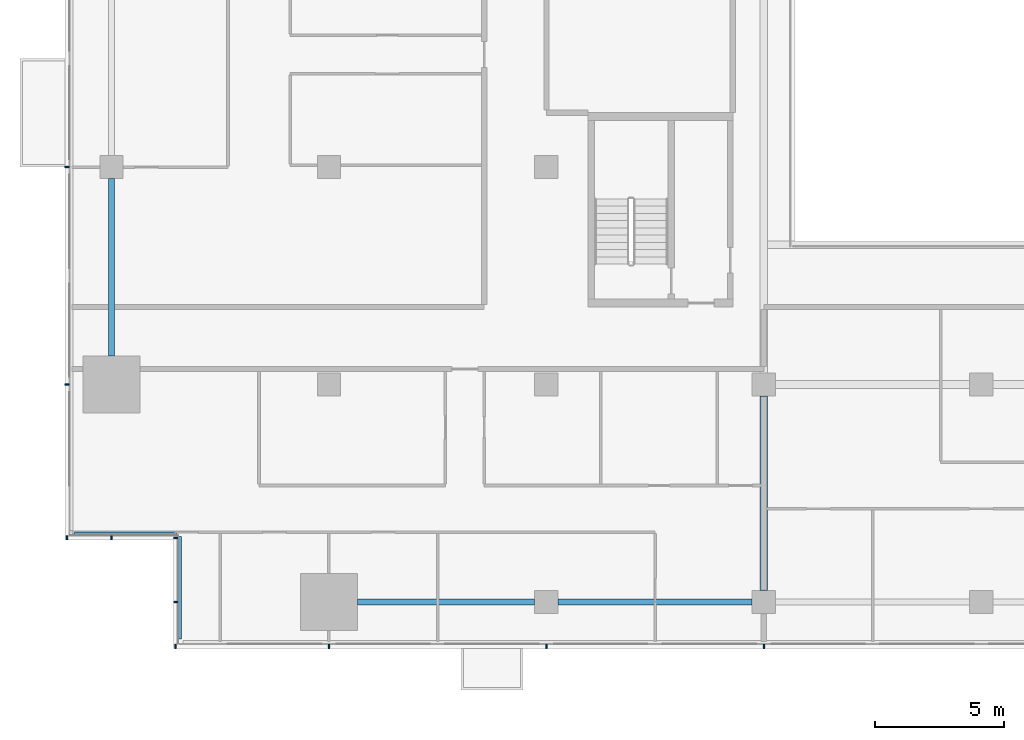
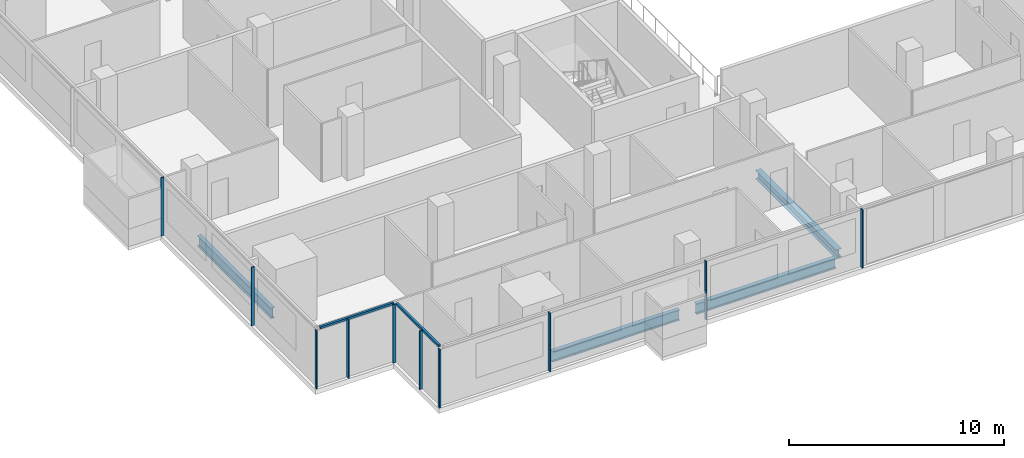
# One storey, part 2 of 27: 12 members, 4 beams, 4 elements without a shape of their own.
"""IFC4 building model written with IfcOpenShell, lengths in metres."""

from ifc_helpers import new_model, si_unit, direction, frame, origin, origin_2d, place, context, subcontext, project, spatial, rectangle, i_section, extrude, material, material_profile, profile_set, type_object, element, aggregate, save


model = new_model("IFC4")

# Units and contexts
model_context = context("Model", 3, precision=1e-05, world=origin(), true_north=direction((0.0, 1.0)))
body_context = subcontext(model_context, "Body", "Model", "MODEL_VIEW")
ifc_project = project(units=[si_unit("LENGTHUNIT", "METRE"), si_unit("AREAUNIT", "SQUARE_METRE"), si_unit("VOLUMEUNIT", "CUBIC_METRE"), si_unit("PLANEANGLEUNIT", "RADIAN"), si_unit("MASSUNIT", "GRAM", prefix="KILO")], contexts=[model_context])

# Site, building, storey
site_placement = place(None, origin())
site = spatial("IfcSite", under=ifc_project, at=site_placement, CompositionType="ELEMENT")
building_placement = place(site_placement, origin())
building = spatial("IfcBuilding", under=site, at=building_placement, Name="Saffron Gate Tower", CompositionType="ELEMENT")
storey_placement = place(building_placement, frame((0.0, 0.0, 66.0)))
storey = spatial("IfcBuildingStorey", under=building, at=storey_placement, Name="L15", CompositionType="ELEMENT", Elevation=66.0)

# Beams
ifc_material_1 = material(Name="Structural steel S355", Category="steel")
ifc_material_profile_1 = material_profile(ifc_material_1, i_section(OverallWidth=0.219970703125, OverallDepth=0.60009765625, WebThickness=0.011962890625, FlangeThickness=0.01904296875, FilletRadius=0.02392578125, at=origin_2d()))
ifc_profile_set_1 = profile_set([ifc_material_profile_1], Name="Structural steel S355")
beam_type_1 = type_object("IfcBeamType", Name="B16 IPE 600", PredefinedType="SPANDREL", material=ifc_profile_set_1)
for number, where, z_axis, x_axis, name in (
    (1, (49.800048828125, 41.300048828125, -0.580078125), (0.0, 1.0, 0.0), (-1.0, 0.0, 0.0), "B16 SPANDREL BEAM"),
    (2, (59.300048828125, 31.800048828125, -0.580078125), (1.0, 0.0, 0.0), (0.0, 1.0, 0.0), "B16 SPANDREL BEAM"),
):
    element("IfcBeam", number, at=place(storey_placement, frame(where, z_axis=z_axis, x_axis=x_axis)), inside=storey, type_object=beam_type_1, Name=name, PredefinedType="SPANDREL", context=body_context, shape_type="SweptSolid", body=[
        extrude(i_section(OverallWidth=0.219970703125, OverallDepth=0.60009765625, WebThickness=0.011962890625, FlangeThickness=0.01904296875, FilletRadius=0.02392578125, at=origin_2d()), origin(), (0.0, 0.0, 1.0), 6.849853515625),
    ])
beam_1_placement = place(storey_placement, frame((67.050048828125, 31.800048828125, -0.580078125), z_axis=(1.0, 0.0, 0.0), x_axis=(0.0, 1.0, 0.0)))
element("IfcBeam", 3, at=beam_1_placement, inside=storey, type_object=beam_type_1, Name="B16 SPANDREL BEAM", PredefinedType="SPANDREL", context=body_context, shape_type="SweptSolid", body=[
    extrude(i_section(OverallWidth=0.219970703125, OverallDepth=0.60009765625, WebThickness=0.011962890625, FlangeThickness=0.01904296875, FilletRadius=0.02392578125, at=origin_2d()), origin(), (0.0, 0.0, 1.0), 7.5),
])
ifc_material_profile_2 = material_profile(ifc_material_1, i_section(OverallWidth=0.300048828125, OverallDepth=0.489990234375, WebThickness=0.011962890625, FlangeThickness=0.02294921875, FilletRadius=0.027099609375, at=origin_2d()))
ifc_profile_set_2 = profile_set([ifc_material_profile_2], Name="Structural steel S355")
beam_type_2 = type_object("IfcBeamType", Name="B8 HEA 500", PredefinedType="BEAM", material=ifc_profile_set_2)
beam_2_placement = place(storey_placement, frame((75.0, 32.25, -0.52490234375), z_axis=(0.0, 1.0, 0.0), x_axis=(-1.0, 0.0, 0.0)))
element("IfcBeam", 4, at=beam_2_placement, inside=storey, type_object=beam_type_2, Name="B8 FLOOR GIRDER", PredefinedType="BEAM", context=body_context, shape_type="SweptSolid", body=[
    extrude(i_section(OverallWidth=0.300048828125, OverallDepth=0.489990234375, WebThickness=0.011962890625, FlangeThickness=0.02294921875, FilletRadius=0.027099609375, at=origin_2d()), origin(), (0.0, 0.0, 1.0), 7.5),
])

# Curtain wall, members
ifc_material_2 = material(Name="Aluminium, bronze anodised", Category="aluminium")
curtain_wall_type_1 = type_object("IfcCurtainWallType", Name="CWS1 curtain wall front facade", PredefinedType="NOTDEFINED", material=ifc_material_2)
curtain_wall_1_placement = place(storey_placement, origin())
curtain_wall_1 = element("IfcCurtainWall", 5, at=curtain_wall_1_placement, inside=storey, type_object=curtain_wall_type_1, Name="CWS1 run 1", PredefinedType="NOTDEFINED")
ifc_material_profile_3 = material_profile(ifc_material_2, rectangle(XDim=0.159912109375, YDim=0.06005859375, at=origin_2d()))
ifc_profile_set_3 = profile_set([ifc_material_profile_3], Name="Aluminium, bronze anodised")
member_type_1 = type_object("IfcMemberType", Name="CWS1 mullion 60x160", PredefinedType="MULLION", material=ifc_profile_set_3)
member_1_placement = place(storey_placement, frame((52.280029296875, 30.080078125, 0.0), z_axis=(0.0, 0.0, 1.0), x_axis=(0.0, 1.0, 0.0)))
member_1 = element("IfcMember", 6, at=member_1_placement, type_object=member_type_1, Name="CWS1 mullion 1", PredefinedType="MULLION", context=body_context, shape_type="SweptSolid", body=[
    extrude(rectangle(XDim=0.159912109375, YDim=0.06005859375, at=origin_2d()), origin(), (0.0, 0.0, 1.0), 3.320068359375),
])
member_2_placement = place(storey_placement, frame((58.199951171875, 30.080078125, 0.0), z_axis=(0.0, 0.0, 1.0), x_axis=(0.0, 1.0, 0.0)))
member_2 = element("IfcMember", 7, at=member_2_placement, type_object=member_type_1, Name="CWS1 mullion 2", PredefinedType="MULLION", context=body_context, shape_type="SweptSolid", body=[
    extrude(rectangle(XDim=0.159912109375, YDim=0.06005859375, at=origin_2d()), origin(), (0.0, 0.0, 1.0), 3.320068359375),
])
member_3_placement = place(storey_placement, frame((66.60009765625, 30.080078125, 0.0), z_axis=(0.0, 0.0, 1.0), x_axis=(0.0, 1.0, 0.0)))
member_3 = element("IfcMember", 8, at=member_3_placement, type_object=member_type_1, Name="CWS1 mullion 3", PredefinedType="MULLION", context=body_context, shape_type="SweptSolid", body=[
    extrude(rectangle(XDim=0.159912109375, YDim=0.06005859375, at=origin_2d()), origin(), (0.0, 0.0, 1.0), 3.320068359375),
])
member_4_placement = place(storey_placement, frame((75.0, 30.080078125, 0.0), z_axis=(0.0, 0.0, 1.0), x_axis=(0.0, 1.0, 0.0)))
member_4 = element("IfcMember", 9, at=member_4_placement, type_object=member_type_1, Name="CWS1 mullion 4", PredefinedType="MULLION", context=body_context, shape_type="SweptSolid", body=[
    extrude(rectangle(XDim=0.159912109375, YDim=0.06005859375, at=origin_2d()), origin(), (0.0, 0.0, 1.0), 3.320068359375),
])
aggregate(curtain_wall_1, [member_1, member_2, member_3, member_4])

curtain_wall_type_2 = type_object("IfcCurtainWallType", Name="CWS2 curtain wall side facades", PredefinedType="NOTDEFINED", material=ifc_material_2)
curtain_wall_2_placement = place(storey_placement, origin())
curtain_wall_2 = element("IfcCurtainWall", 10, at=curtain_wall_2_placement, inside=storey, type_object=curtain_wall_type_2, Name="CWS2 run 10", PredefinedType="NOTDEFINED")
ifc_material_profile_4 = material_profile(ifc_material_2, rectangle(XDim=0.159912109375, YDim=0.06005859375, at=origin_2d()))
ifc_profile_set_4 = profile_set([ifc_material_profile_4], Name="Aluminium, bronze anodised")
member_type_2 = type_object("IfcMemberType", Name="CWS2 mullion 60x160", PredefinedType="MULLION", material=ifc_profile_set_4)
member_5_placement = place(storey_placement, frame((48.080078125, 48.60009765625, 0.0), z_axis=(0.0, 0.0, 1.0), x_axis=(1.0, 0.0, 0.0)))
member_5 = element("IfcMember", 11, at=member_5_placement, type_object=member_type_2, Name="CWS2 mullion 4", PredefinedType="MULLION", context=body_context, shape_type="SweptSolid", body=[
    extrude(rectangle(XDim=0.159912109375, YDim=0.06005859375, at=origin_2d()), origin(), (0.0, 0.0, 1.0), 3.320068359375),
])
member_6_placement = place(storey_placement, frame((48.080078125, 40.199951171875, 0.0), z_axis=(0.0, 0.0, 1.0), x_axis=(1.0, 0.0, 0.0)))
member_6 = element("IfcMember", 12, at=member_6_placement, type_object=member_type_2, Name="CWS2 mullion 5", PredefinedType="MULLION", context=body_context, shape_type="SweptSolid", body=[
    extrude(rectangle(XDim=0.159912109375, YDim=0.06005859375, at=origin_2d()), origin(), (0.0, 0.0, 1.0), 3.320068359375),
])
aggregate(curtain_wall_2, [member_5, member_6])

# Curtain wall, member
curtain_wall_type_3 = type_object("IfcCurtainWallType", Name="CWS4 curtain wall corner returns", PredefinedType="NOTDEFINED", material=ifc_material_2)
curtain_wall_3_placement = place(storey_placement, origin())
curtain_wall_3 = element("IfcCurtainWall", 13, at=curtain_wall_3_placement, inside=storey, type_object=curtain_wall_type_3, Name="CWS4 run 11", PredefinedType="NOTDEFINED")
ifc_material_profile_5 = material_profile(ifc_material_2, rectangle(XDim=0.1201171875, YDim=0.1201171875, at=origin_2d()))
ifc_profile_set_5 = profile_set([ifc_material_profile_5], Name="Aluminium, bronze anodised")
member_type_3 = type_object("IfcMemberType", Name="CWS4 head transom", PredefinedType="USERDEFINED", material=ifc_profile_set_5)
member_7_placement = place(storey_placement, frame((48.367919921875, 34.447998046875, 3.260009765625), z_axis=(1.0, 0.0, 0.0), x_axis=(0.0, 1.0, 0.0)))
member_7 = element("IfcMember", 14, at=member_7_placement, type_object=member_type_3, Name="CWS4 head transom", ObjectType="TRANSOM", PredefinedType="USERDEFINED", context=body_context, shape_type="SweptSolid", body=[
    extrude(rectangle(XDim=0.1201171875, YDim=0.1201171875, at=origin_2d()), origin(), (0.0, 0.0, 1.0), 3.9599609375),
])

curtain_wall_4_placement = place(storey_placement, origin())
curtain_wall_4 = element("IfcCurtainWall", 15, at=curtain_wall_4_placement, inside=storey, type_object=curtain_wall_type_3, Name="CWS4 run 12", PredefinedType="NOTDEFINED")
member_8_placement = place(storey_placement, frame((52.447998046875, 34.327880859375, 3.260009765625), z_axis=(0.0, -1.0, 0.0), x_axis=(1.0, 0.0, 0.0)))
member_8 = element("IfcMember", 16, at=member_8_placement, type_object=member_type_3, Name="CWS4 head transom", ObjectType="TRANSOM", PredefinedType="USERDEFINED", context=body_context, shape_type="SweptSolid", body=[
    extrude(rectangle(XDim=0.1201171875, YDim=0.1201171875, at=origin_2d()), origin(), (0.0, 0.0, 1.0), 3.9599609375),
])

# Member
ifc_material_profile_6 = material_profile(ifc_material_2, rectangle(XDim=0.159912109375, YDim=0.06005859375, at=origin_2d()))
ifc_profile_set_6 = profile_set([ifc_material_profile_6], Name="Aluminium, bronze anodised")
member_type_4 = type_object("IfcMemberType", Name="CWS4 mullion 60x160", PredefinedType="MULLION", material=ifc_profile_set_6)
member_9_placement = place(storey_placement, frame((48.080078125, 34.280029296875, 0.0), z_axis=(0.0, 0.0, 1.0), x_axis=(0.0, 1.0, 0.0)))
member_9 = element("IfcMember", 17, at=member_9_placement, type_object=member_type_4, Name="CWS4 mullion 1", PredefinedType="MULLION", context=body_context, shape_type="SweptSolid", body=[
    extrude(rectangle(XDim=0.159912109375, YDim=0.06005859375, at=origin_2d()), origin(), (0.0, 0.0, 1.0), 3.320068359375),
])

member_10_placement = place(storey_placement, frame((49.800048828125, 34.280029296875, 0.0), z_axis=(0.0, 0.0, 1.0), x_axis=(0.0, 1.0, 0.0)))
member_10 = element("IfcMember", 18, at=member_10_placement, type_object=member_type_4, Name="CWS4 mullion 2", PredefinedType="MULLION", context=body_context, shape_type="SweptSolid", body=[
    extrude(rectangle(XDim=0.159912109375, YDim=0.06005859375, at=origin_2d()), origin(), (0.0, 0.0, 1.0), 3.320068359375),
])

aggregate(curtain_wall_3, [member_9, member_10, member_7])

member_11_placement = place(storey_placement, frame((52.280029296875, 34.280029296875, 0.0), z_axis=(0.0, 0.0, 1.0), x_axis=(1.0, 0.0, 0.0)))
member_11 = element("IfcMember", 19, at=member_11_placement, type_object=member_type_4, Name="CWS4 mullion 1", PredefinedType="MULLION", context=body_context, shape_type="SweptSolid", body=[
    extrude(rectangle(XDim=0.159912109375, YDim=0.06005859375, at=origin_2d()), origin(), (0.0, 0.0, 1.0), 3.320068359375),
])

member_12_placement = place(storey_placement, frame((52.280029296875, 31.800048828125, 0.0), z_axis=(0.0, 0.0, 1.0), x_axis=(1.0, 0.0, 0.0)))
member_12 = element("IfcMember", 20, at=member_12_placement, type_object=member_type_4, Name="CWS4 mullion 2", PredefinedType="MULLION", context=body_context, shape_type="SweptSolid", body=[
    extrude(rectangle(XDim=0.159912109375, YDim=0.06005859375, at=origin_2d()), origin(), (0.0, 0.0, 1.0), 3.320068359375),
])

aggregate(curtain_wall_4, [member_11, member_12, member_8])

save(model, "model.ifc")
